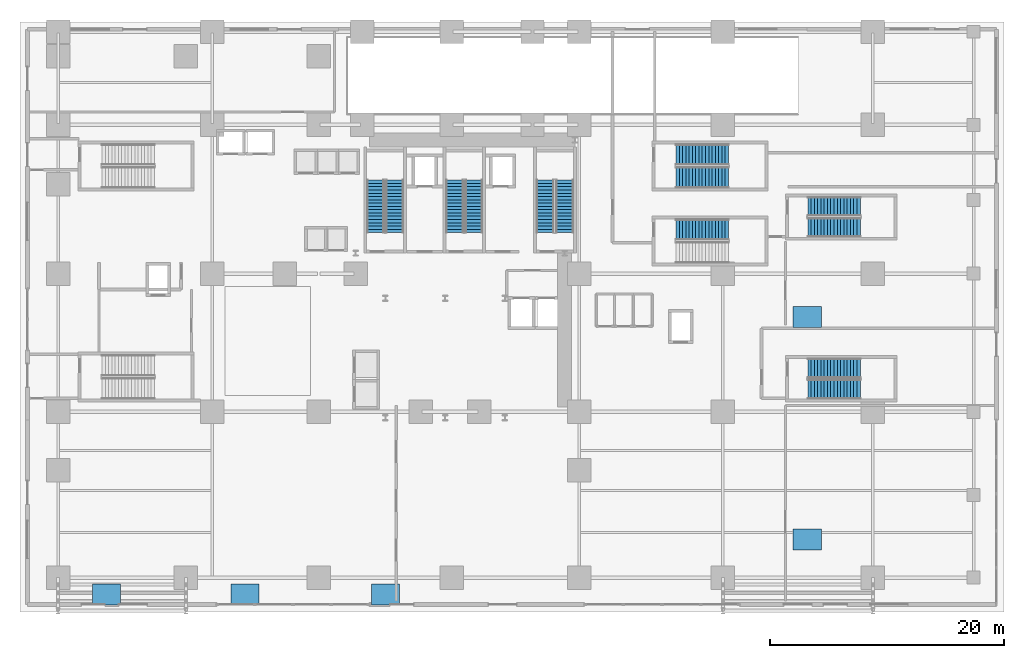
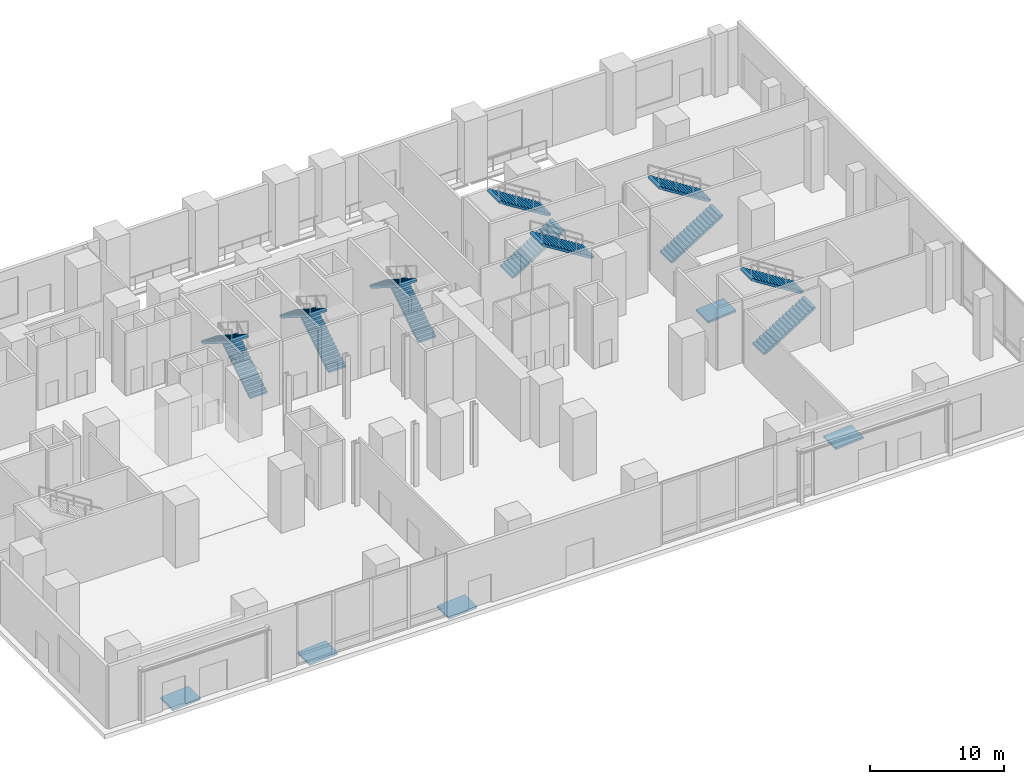
# One storey, part 18 of 25: 13 stair flights, 5 ramp flights, 12 elements without a shape of their own.
"""IFC4 building model written with IfcOpenShell, lengths in metres."""

import ifcopenshell
import ifcopenshell.guid

model = None  # the IFC model being written
_history = None  # IfcOwnerHistory: only IFC2X3 demands one
_inside = {}  # id of a spatial element -> (the spatial element, [elements in it])
_under = {}  # id of a project, library or spatial element -> (it, [spatial elements below it])
_declared = {}  # id of a project -> (the project, [libraries it declares])
_typed = {}  # id of a type object -> (the type object, [elements of that type])
_made_of = {}  # id of a material, layer set ... -> (it, [elements and type objects made of it])


def new_model(schema):
    """Start an empty IFC model of exactly this schema.

    Asked for "IFC4X3", IfcOpenShell would pick the latest addendum, in which some entities
    have other attributes; the version numbers below select the first issue.
    IFC2X3 requires an IfcOwnerHistory on every rooted entity: one is made here for all.
    """
    global model, _history
    if schema == "IFC4X3":
        model = ifcopenshell.file(schema_version=(4, 3, 0, 0))
    else:
        model = ifcopenshell.file(schema=schema)
    _inside.clear()
    _under.clear()
    _declared.clear()
    _typed.clear()
    _made_of.clear()
    _history = None
    if model.schema == "IFC2X3":
        org = make("IfcOrganization", Name="unknown")
        user = make(
            "IfcPersonAndOrganization",
            ThePerson=make("IfcPerson", FamilyName="unknown"),
            TheOrganization=org,
        )
        app = make(
            "IfcApplication",
            ApplicationDeveloper=org,
            Version="unknown",
            ApplicationFullName="unknown",
            ApplicationIdentifier="unknown",
        )
        _history = make(
            "IfcOwnerHistory",
            OwningUser=user,
            OwningApplication=app,
            ChangeAction="ADDED",
            CreationDate=0,
        )
    return model


def make(cls, **values):
    """One entity of the class cls with the attributes given. An attribute that is None is left unset."""
    return model.create_entity(
        cls, **{name: value for name, value in values.items() if value is not None}
    )


def rooted(cls, **values):
    """An entity with a GlobalId (a new one), such as an element, a storey or a relation."""
    return make(cls, GlobalId=ifcopenshell.guid.new(), OwnerHistory=_history, **values)


def si_unit(unit_type, name, prefix=None):
    """IfcSIUnit, for example si_unit("LENGTHUNIT", "METRE", prefix="MILLI")."""
    return make("IfcSIUnit", UnitType=unit_type, Prefix=prefix, Name=name)


def assignment(units):
    """IfcUnitAssignment: the units of a project."""
    return None if units is None else make("IfcUnitAssignment", Units=units)


def point(xyz):
    """IfcCartesianPoint."""
    return None if xyz is None else make("IfcCartesianPoint", Coordinates=xyz)


def direction(xyz):
    """IfcDirection."""
    return None if xyz is None else make("IfcDirection", DirectionRatios=xyz)


def frame(location, z_axis=None, x_axis=None):
    """IfcAxis2Placement3D, a coordinate frame: its origin and axes. An axis left out is left unset."""
    return make(
        "IfcAxis2Placement3D",
        Location=point(location),
        Axis=direction(z_axis),
        RefDirection=direction(x_axis),
    )


def origin():
    """The frame at (0, 0, 0) with its axes left unset."""
    return frame((0.0, 0.0, 0.0))


def place(relative_to, where):
    """IfcLocalPlacement: puts the frame where relative to a parent placement (None: the world)."""
    return make(
        "IfcLocalPlacement", PlacementRelTo=relative_to, RelativePlacement=where
    )


def context(
    kind, dimensions, precision=None, world=None, true_north=None, identifier=None
):
    """IfcGeometricRepresentationContext, for example the 3D "Model" context."""
    return make(
        "IfcGeometricRepresentationContext",
        ContextIdentifier=identifier,
        ContextType=kind,
        CoordinateSpaceDimension=dimensions,
        Precision=precision,
        WorldCoordinateSystem=world,
        TrueNorth=true_north,
    )


def subcontext(parent, identifier, kind, view, scale=None):
    """IfcGeometricRepresentationSubContext, for example "Body" below "Model"."""
    return make(
        "IfcGeometricRepresentationSubContext",
        ContextIdentifier=identifier,
        ContextType=kind,
        ParentContext=parent,
        TargetScale=scale,
        TargetView=view,
    )


def project(units=None, contexts=None):
    """IfcProject with its units and contexts."""
    return rooted(
        "IfcProject",
        Name="project",
        RepresentationContexts=contexts,
        UnitsInContext=assignment(units),
    )


def spatial(cls, under=None, at=None, **own):
    """A site, building, storey or space (cls), placed at a placement, below another one or the project."""
    s = rooted(cls, ObjectPlacement=at, **own)
    if under is not None:
        _under.setdefault(under.id(), (under, []))[1].append(s)
    return s


def polyline(points):
    """IfcPolyline through the points."""
    return make("IfcPolyline", Points=[point(p) for p in points])


def outline(outer, holes=None, kind="AREA"):
    """IfcArbitraryClosedProfileDef: a profile drawn as a closed curve; with holes, ...WithVoids."""
    if holes is None:
        return make("IfcArbitraryClosedProfileDef", ProfileType=kind, OuterCurve=outer)
    return make(
        "IfcArbitraryProfileDefWithVoids",
        ProfileType=kind,
        OuterCurve=outer,
        InnerCurves=holes,
    )


def extrude(swept, where, along, depth):
    """IfcExtrudedAreaSolid: the profile swept, set in the frame where, extruded along a direction by depth."""
    return make(
        "IfcExtrudedAreaSolid",
        SweptArea=swept,
        Position=where,
        ExtrudedDirection=direction(along),
        Depth=depth,
    )


def shape(context_of_items, identifier, shape_type, items):
    """IfcShapeRepresentation: the items that make up one representation, for example the "Body"."""
    return make(
        "IfcShapeRepresentation",
        ContextOfItems=context_of_items,
        RepresentationIdentifier=identifier,
        RepresentationType=shape_type,
        Items=items,
    )


def source(mapping_origin, context_of_items, identifier, shape_type, items):
    """IfcRepresentationMap: a shape defined once, which mapped items show again and again."""
    return make(
        "IfcRepresentationMap",
        MappingOrigin=mapping_origin,
        MappedRepresentation=shape(context_of_items, identifier, shape_type, items),
    )


def transform(
    local_origin,
    x_axis=None,
    y_axis=None,
    z_axis=None,
    scale=None,
    scale2=None,
    scale3=None,
    uniform=True,
):
    """IfcCartesianTransformationOperator3D, or its non-uniform kind. x_axis, y_axis, z_axis: its Axis1, 2, 3."""
    if uniform:
        return make(
            "IfcCartesianTransformationOperator3D",
            Axis1=direction(x_axis),
            Axis2=direction(y_axis),
            LocalOrigin=point(local_origin),
            Scale=scale,
            Axis3=direction(z_axis),
        )
    return make(
        "IfcCartesianTransformationOperator3DnonUniform",
        Axis1=direction(x_axis),
        Axis2=direction(y_axis),
        LocalOrigin=point(local_origin),
        Scale=scale,
        Axis3=direction(z_axis),
        Scale2=scale2,
        Scale3=scale3,
    )


def mapped(mapping_source, mapping_target):
    """IfcMappedItem: shows the shape of a source again, moved by a transform."""
    return make(
        "IfcMappedItem", MappingSource=mapping_source, MappingTarget=mapping_target
    )


def material(Name=None, Category=None):
    """IfcMaterial."""
    return make("IfcMaterial", Name=Name, Category=Category)


def layer(
    of_material, thickness, ventilated=None, Name=None, Category=None, Priority=None
):
    """IfcMaterialLayer: one layer of a wall or slab, of a material (None: an air gap)."""
    return make(
        "IfcMaterialLayer",
        Material=of_material,
        LayerThickness=thickness,
        IsVentilated=ventilated,
        Name=Name,
        Category=Category,
        Priority=Priority,
    )


def layer_set(layers, Name=None):
    """IfcMaterialLayerSet."""
    return make("IfcMaterialLayerSet", MaterialLayers=layers, LayerSetName=Name)


def made_of(thing, what):
    """Note that an element or type object is made of a material, layer set ...; save() writes the relation."""
    if what is not None:
        _made_of.setdefault(what.id(), (what, []))[1].append(thing)
    return thing


def type_object(cls, material=None, **own):
    """A type object (cls), such as IfcWallType, which elements share."""
    return made_of(rooted(cls, **own), material)


def element(
    cls,
    number,
    at=None,
    inside=None,
    cuts=None,
    type_object=None,
    material=None,
    context=None,
    identifier="Body",
    shape_type=None,
    held_by="IfcProductDefinitionShape",
    body=None,
    shapes=None,
    **own,
):
    """One element of the class cls, such as IfcWall. Its Tag is "e" and its number.

    at: its placement. inside: the storey or other place that contains it. cuts: it is an
    opening in that element (IfcRelVoidsElement). A single representation is given by context,
    identifier, shape_type and body (its items); several are given by shapes. held_by: the class
    of the entity that holds the representations. save() writes the other relations.
    """
    e = rooted(cls, Tag="e%d" % number, ObjectPlacement=at, **own)
    if body is not None:
        shapes = [shape(context, identifier, shape_type, body)]
    if shapes is not None:
        e.Representation = make(held_by, Representations=shapes)
    if inside is not None:
        _inside.setdefault(inside.id(), (inside, []))[1].append(e)
    if cuts is not None:
        rooted(
            "IfcRelVoidsElement", RelatingBuildingElement=cuts, RelatedOpeningElement=e
        )
    if type_object is not None:
        _typed.setdefault(type_object.id(), (type_object, []))[1].append(e)
    return made_of(e, material)


def aggregate(whole, parts):
    """IfcRelAggregates: a whole, such as a stair, and the parts it consists of."""
    return rooted("IfcRelAggregates", RelatingObject=whole, RelatedObjects=parts)


def save(model, path):
    """Write the relations noted so far, then the file.

    IfcRelAggregates (storeys below a building ...), IfcRelContainedInSpatialStructure (elements
    in a storey), IfcRelDefinesByType, IfcRelAssociatesMaterial and IfcRelDeclares: one each for
    every whole, place, type object, material and project.
    """
    for whole, parts in _under.values():
        aggregate(whole, parts)
    for where, things in _inside.values():
        rooted(
            "IfcRelContainedInSpatialStructure",
            RelatedElements=things,
            RelatingStructure=where,
        )
    for kind, things in _typed.values():
        rooted("IfcRelDefinesByType", RelatedObjects=things, RelatingType=kind)
    for what, things in _made_of.values():
        rooted("IfcRelAssociatesMaterial", RelatedObjects=things, RelatingMaterial=what)
    for by, libraries in _declared.values():
        rooted("IfcRelDeclares", RelatingContext=by, RelatedDefinitions=libraries)
    model.write(path)


model = new_model("IFC4")

# Units and contexts
model_context = context("Model", 3, precision=1e-05, world=origin(), true_north=direction((0.0, 1.0)))
body_context = subcontext(model_context, "Body", "Model", "MODEL_VIEW")
ifc_project = project(units=[si_unit("LENGTHUNIT", "METRE"), si_unit("AREAUNIT", "SQUARE_METRE"), si_unit("VOLUMEUNIT", "CUBIC_METRE"), si_unit("PLANEANGLEUNIT", "RADIAN"), si_unit("MASSUNIT", "GRAM", prefix="KILO")], contexts=[model_context])

# Site, building, storey
site_placement = place(None, origin())
site = spatial("IfcSite", under=ifc_project, at=site_placement, CompositionType="ELEMENT")
building_placement = place(site_placement, origin())
building = spatial("IfcBuilding", under=site, at=building_placement, Name="Vardaveli Station Tower", CompositionType="ELEMENT")
storey_placement = place(building_placement, origin())
storey = spatial("IfcBuildingStorey", under=building, at=storey_placement, Name="L01", CompositionType="ELEMENT", Elevation=0.0)

# Stair, stair flights
ifc_material_1 = material(Name="Concrete C40/50", Category="concrete")
stair_type_1 = type_object("IfcStairType", Name="STR-CORE-1500", PredefinedType="HALF_TURN_STAIR", material=ifc_material_1)
stair_1_placement = place(storey_placement, origin())
stair_1 = element("IfcStair", 1, at=stair_1_placement, inside=storey, type_object=stair_type_1, Name="L01 ST-1", PredefinedType="HALF_TURN_STAIR")
stair_flight_type_1 = type_object("IfcStairFlightType", Name="SFL-CORE-1500", PredefinedType="STRAIGHT", material=ifc_material_1)
shared_shape_1 = source(origin(), body_context, "Body", "SweptSolid", [
    extrude(outline(polyline([(0.0, 0.0), (0.0, 0.176513671875), (0.280029296875, 0.176513671875), (0.280029296875, 0.35302734375), (0.56005859375, 0.35302734375), (0.56005859375, 0.529296875), (0.840087890625, 0.529296875), (0.840087890625, 0.705810546875), (1.1201171875, 0.705810546875), (1.1201171875, 0.88232421875), (1.39990234375, 0.88232421875), (1.39990234375, 1.058837890625), (1.679931640625, 1.058837890625), (1.679931640625, 1.2353515625), (1.9599609375, 1.2353515625), (1.9599609375, 1.411865234375), (2.239990234375, 1.411865234375), (2.239990234375, 1.588134765625), (2.52001953125, 1.588134765625), (2.52001953125, 1.7646484375), (2.800048828125, 1.7646484375), (2.800048828125, 1.941162109375), (3.080078125, 1.941162109375), (3.080078125, 2.11767578125), (3.360107421875, 2.11767578125), (3.360107421875, 2.294189453125), (3.639892578125, 2.294189453125), (3.639892578125, 2.470703125), (3.919921875, 2.470703125), (3.919921875, 2.64697265625), (4.199951171875, 2.64697265625), (4.199951171875, 2.823486328125), (4.47998046875, 2.823486328125), (4.47998046875, 3.0), (4.47998046875, 2.646240234375), (0.28125, 0.0), (0.0, 0.0)])), frame((0.0, 0.75, 0.0), z_axis=(0.0, -1.0, 0.0), x_axis=(1.0, 0.0, 0.0)), (0.0, 0.0, 1.0), 1.5),
])
stair_flight_1_placement = place(storey_placement, frame((32.0, 32.39990234375, 0.0), z_axis=(0.0, 0.0, 1.0), x_axis=(0.0, 1.0, 0.0)))
stair_flight_1 = element("IfcStairFlight", 2, at=stair_flight_1_placement, type_object=stair_flight_type_1, Name="ST-1 flight 1", NumberOfRisers=17, NumberOfTreads=16, PredefinedType="STRAIGHT", RiserHeight=0.176470588, TreadLength=0.28, context=body_context, shape_type="MappedRepresentation", body=[
    mapped(shared_shape_1, transform((0.0, 0.0, 0.0), scale=1.0)),
])
stair_flight_2_placement = place(storey_placement, frame((30.35009765625, 36.8798828125, 3.0), z_axis=(0.0, 0.0, 1.0), x_axis=(0.0, -1.0, 0.0)))
stair_flight_2 = element("IfcStairFlight", 3, at=stair_flight_2_placement, type_object=stair_flight_type_1, Name="ST-1 flight 2", NumberOfRisers=17, NumberOfTreads=16, PredefinedType="STRAIGHT", RiserHeight=0.176470588, TreadLength=0.28, context=body_context, shape_type="MappedRepresentation", body=[
    mapped(shared_shape_1, transform((0.0, 0.0, 0.0), scale=1.0)),
])
aggregate(stair_1, [stair_flight_1, stair_flight_2])

stair_2_placement = place(storey_placement, origin())
stair_2 = element("IfcStair", 4, at=stair_2_placement, inside=storey, type_object=stair_type_1, Name="L01 ST-2", PredefinedType="HALF_TURN_STAIR")
stair_flight_3_placement = place(storey_placement, frame((38.75, 32.39990234375, 0.0), z_axis=(0.0, 0.0, 1.0), x_axis=(0.0, 1.0, 0.0)))
stair_flight_3 = element("IfcStairFlight", 5, at=stair_flight_3_placement, type_object=stair_flight_type_1, Name="ST-2 flight 1", NumberOfRisers=17, NumberOfTreads=16, PredefinedType="STRAIGHT", RiserHeight=0.176470588, TreadLength=0.28, context=body_context, shape_type="MappedRepresentation", body=[
    mapped(shared_shape_1, transform((0.0, 0.0, 0.0), scale=1.0)),
])
stair_flight_4_placement = place(storey_placement, frame((37.10009765625, 36.8798828125, 3.0), z_axis=(0.0, 0.0, 1.0), x_axis=(0.0, -1.0, 0.0)))
stair_flight_4 = element("IfcStairFlight", 6, at=stair_flight_4_placement, type_object=stair_flight_type_1, Name="ST-2 flight 2", NumberOfRisers=17, NumberOfTreads=16, PredefinedType="STRAIGHT", RiserHeight=0.176470588, TreadLength=0.28, context=body_context, shape_type="MappedRepresentation", body=[
    mapped(shared_shape_1, transform((0.0, 0.0, 0.0), scale=1.0)),
])
aggregate(stair_2, [stair_flight_3, stair_flight_4])

stair_3_placement = place(storey_placement, origin())
stair_3 = element("IfcStair", 7, at=stair_3_placement, inside=storey, type_object=stair_type_1, Name="L01 ST-3", PredefinedType="HALF_TURN_STAIR")
stair_flight_5_placement = place(storey_placement, frame((46.5, 32.39990234375, 0.0), z_axis=(0.0, 0.0, 1.0), x_axis=(0.0, 1.0, 0.0)))
stair_flight_5 = element("IfcStairFlight", 8, at=stair_flight_5_placement, type_object=stair_flight_type_1, Name="ST-3 flight 1", NumberOfRisers=17, NumberOfTreads=16, PredefinedType="STRAIGHT", RiserHeight=0.176470588, TreadLength=0.28, context=body_context, shape_type="MappedRepresentation", body=[
    mapped(shared_shape_1, transform((0.0, 0.0, 0.0), scale=1.0)),
])
stair_flight_6_placement = place(storey_placement, frame((44.85009765625, 36.8798828125, 3.0), z_axis=(0.0, 0.0, 1.0), x_axis=(0.0, -1.0, 0.0)))
stair_flight_6 = element("IfcStairFlight", 9, at=stair_flight_6_placement, type_object=stair_flight_type_1, Name="ST-3 flight 2", NumberOfRisers=17, NumberOfTreads=16, PredefinedType="STRAIGHT", RiserHeight=0.176470588, TreadLength=0.28, context=body_context, shape_type="MappedRepresentation", body=[
    mapped(shared_shape_1, transform((0.0, 0.0, 0.0), scale=1.0)),
])
aggregate(stair_3, [stair_flight_5, stair_flight_6])

# Stair, stair flight
stair_type_2 = type_object("IfcStairType", Name="STR-POD-1800", PredefinedType="HALF_TURN_STAIR", material=ifc_material_1)
stair_4_placement = place(storey_placement, origin())
stair_4 = element("IfcStair", 10, at=stair_4_placement, inside=storey, type_object=stair_type_2, Name="L01 ST-S2", PredefinedType="HALF_TURN_STAIR")
stair_flight_type_2 = type_object("IfcStairFlightType", Name="SFL-POD-1800", PredefinedType="STRAIGHT", material=ifc_material_1)
shared_shape_2 = source(origin(), body_context, "Body", "SweptSolid", [
    extrude(outline(polyline([(0.0, 0.0), (0.0, 0.176513671875), (0.280029296875, 0.176513671875), (0.280029296875, 0.35302734375), (0.56005859375, 0.35302734375), (0.56005859375, 0.529296875), (0.840087890625, 0.529296875), (0.840087890625, 0.705810546875), (1.1201171875, 0.705810546875), (1.1201171875, 0.88232421875), (1.39990234375, 0.88232421875), (1.39990234375, 1.058837890625), (1.679931640625, 1.058837890625), (1.679931640625, 1.2353515625), (1.9599609375, 1.2353515625), (1.9599609375, 1.411865234375), (2.239990234375, 1.411865234375), (2.239990234375, 1.588134765625), (2.52001953125, 1.588134765625), (2.52001953125, 1.7646484375), (2.800048828125, 1.7646484375), (2.800048828125, 1.941162109375), (3.080078125, 1.941162109375), (3.080078125, 2.11767578125), (3.360107421875, 2.11767578125), (3.360107421875, 2.294189453125), (3.639892578125, 2.294189453125), (3.639892578125, 2.470703125), (3.919921875, 2.470703125), (3.919921875, 2.64697265625), (4.199951171875, 2.64697265625), (4.199951171875, 2.823486328125), (4.47998046875, 2.823486328125), (4.47998046875, 3.0), (4.47998046875, 2.646240234375), (0.28125, 0.0), (0.0, 0.0)])), frame((0.0, 0.89990234375, 0.0), z_axis=(0.0, -1.0, 0.0), x_axis=(1.0, 0.0, 0.0)), (0.0, 0.0, 1.0), 1.800048828125),
])
stair_flight_7_placement = place(storey_placement, frame((60.47998046875, 32.64990234375, 3.0), z_axis=(0.0, 0.0, 1.0), x_axis=(-1.0, 0.0, 0.0)))
stair_flight_7 = element("IfcStairFlight", 11, at=stair_flight_7_placement, type_object=stair_flight_type_2, Name="ST-S2 flight 2", NumberOfRisers=17, NumberOfTreads=16, PredefinedType="STRAIGHT", RiserHeight=0.176470588, TreadLength=0.28, context=body_context, shape_type="MappedRepresentation", body=[
    mapped(shared_shape_2, transform((0.0, 0.0, 0.0), scale=1.0)),
])
aggregate(stair_4, [stair_flight_7])

# Stair, stair flights
stair_5_placement = place(storey_placement, origin())
stair_5 = element("IfcStair", 12, at=stair_5_placement, inside=storey, type_object=stair_type_2, Name="L01 ST-P2", PredefinedType="HALF_TURN_STAIR")
stair_flight_8_placement = place(storey_placement, frame((56.0, 37.10009765625, 0.0), z_axis=(0.0, 0.0, 1.0), x_axis=(1.0, 0.0, 0.0)))
stair_flight_8 = element("IfcStairFlight", 13, at=stair_flight_8_placement, type_object=stair_flight_type_2, Name="ST-P2 flight 1", NumberOfRisers=17, NumberOfTreads=16, PredefinedType="STRAIGHT", RiserHeight=0.176470588, TreadLength=0.28, context=body_context, shape_type="MappedRepresentation", body=[
    mapped(shared_shape_2, transform((0.0, 0.0, 0.0), scale=1.0)),
])
stair_flight_9_placement = place(storey_placement, frame((60.47998046875, 39.050048828125, 3.0), z_axis=(0.0, 0.0, 1.0), x_axis=(-1.0, 0.0, 0.0)))
stair_flight_9 = element("IfcStairFlight", 14, at=stair_flight_9_placement, type_object=stair_flight_type_2, Name="ST-P2 flight 2", NumberOfRisers=17, NumberOfTreads=16, PredefinedType="STRAIGHT", RiserHeight=0.176470588, TreadLength=0.28, context=body_context, shape_type="MappedRepresentation", body=[
    mapped(shared_shape_2, transform((0.0, 0.0, 0.0), scale=1.0)),
])
aggregate(stair_5, [stair_flight_8, stair_flight_9])

ifc_material_2 = material(Name="Structural steel S355J2", Category="steel")
stair_type_3 = type_object("IfcStairType", Name="STR-FEAT-1650", PredefinedType="STRAIGHT_RUN_STAIR", material=ifc_material_2)
stair_6_placement = place(storey_placement, origin())
stair_6 = element("IfcStair", 15, at=stair_6_placement, inside=storey, type_object=stair_type_3, Name="L01 ST-C1", PredefinedType="HALF_TURN_STAIR")
stair_flight_type_3 = type_object("IfcStairFlightType", Name="SFL-FEAT-1650", PredefinedType="STRAIGHT", material=ifc_material_2)
shared_shape_3 = source(origin(), body_context, "Body", "SweptSolid", [
    extrude(outline(polyline([(0.0, 0.0), (0.0, 0.176513671875), (0.280029296875, 0.176513671875), (0.280029296875, 0.35302734375), (0.56005859375, 0.35302734375), (0.56005859375, 0.529296875), (0.840087890625, 0.529296875), (0.840087890625, 0.705810546875), (1.1201171875, 0.705810546875), (1.1201171875, 0.88232421875), (1.39990234375, 0.88232421875), (1.39990234375, 1.058837890625), (1.679931640625, 1.058837890625), (1.679931640625, 1.2353515625), (1.9599609375, 1.2353515625), (1.9599609375, 1.411865234375), (2.239990234375, 1.411865234375), (2.239990234375, 1.588134765625), (2.52001953125, 1.588134765625), (2.52001953125, 1.7646484375), (2.800048828125, 1.7646484375), (2.800048828125, 1.941162109375), (3.080078125, 1.941162109375), (3.080078125, 2.11767578125), (3.360107421875, 2.11767578125), (3.360107421875, 2.294189453125), (3.639892578125, 2.294189453125), (3.639892578125, 2.470703125), (3.919921875, 2.470703125), (3.919921875, 2.64697265625), (4.199951171875, 2.64697265625), (4.199951171875, 2.823486328125), (4.47998046875, 2.823486328125), (4.47998046875, 3.0), (4.47998046875, 2.646240234375), (0.28125, 0.0), (0.0, 0.0)])), frame((0.0, 0.824951171875, 0.0), z_axis=(0.0, -1.0, 0.0), x_axis=(1.0, 0.0, 0.0)), (0.0, 0.0, 1.0), 1.64990234375),
])
stair_flight_10_placement = place(storey_placement, frame((67.25, 19.02490234375, 0.0), z_axis=(0.0, 0.0, 1.0), x_axis=(1.0, 0.0, 0.0)))
stair_flight_10 = element("IfcStairFlight", 16, at=stair_flight_10_placement, type_object=stair_flight_type_3, Name="ST-C1 flight 1", NumberOfRisers=17, NumberOfTreads=16, PredefinedType="STRAIGHT", RiserHeight=0.176470588, TreadLength=0.28, context=body_context, shape_type="MappedRepresentation", body=[
    mapped(shared_shape_3, transform((0.0, 0.0, 0.0), scale=1.0)),
])
stair_flight_11_placement = place(storey_placement, frame((71.72998046875, 20.824951171875, 3.0), z_axis=(0.0, 0.0, 1.0), x_axis=(-1.0, 0.0, 0.0)))
stair_flight_11 = element("IfcStairFlight", 17, at=stair_flight_11_placement, type_object=stair_flight_type_3, Name="ST-C1 flight 2", NumberOfRisers=17, NumberOfTreads=16, PredefinedType="STRAIGHT", RiserHeight=0.176470588, TreadLength=0.28, context=body_context, shape_type="MappedRepresentation", body=[
    mapped(shared_shape_3, transform((0.0, 0.0, 0.0), scale=1.0)),
])
aggregate(stair_6, [stair_flight_10, stair_flight_11])

stair_7_placement = place(storey_placement, origin())
stair_7 = element("IfcStair", 18, at=stair_7_placement, inside=storey, type_object=stair_type_3, Name="L01 ST-C2", PredefinedType="HALF_TURN_STAIR")
stair_flight_12_placement = place(storey_placement, frame((67.25, 32.824951171875, 0.0), z_axis=(0.0, 0.0, 1.0), x_axis=(1.0, 0.0, 0.0)))
stair_flight_12 = element("IfcStairFlight", 19, at=stair_flight_12_placement, type_object=stair_flight_type_3, Name="ST-C2 flight 1", NumberOfRisers=17, NumberOfTreads=16, PredefinedType="STRAIGHT", RiserHeight=0.176470588, TreadLength=0.28, context=body_context, shape_type="MappedRepresentation", body=[
    mapped(shared_shape_3, transform((0.0, 0.0, 0.0), scale=1.0)),
])
stair_flight_13_placement = place(storey_placement, frame((71.72998046875, 34.625, 3.0), z_axis=(0.0, 0.0, 1.0), x_axis=(-1.0, 0.0, 0.0)))
stair_flight_13 = element("IfcStairFlight", 20, at=stair_flight_13_placement, type_object=stair_flight_type_3, Name="ST-C2 flight 2", NumberOfRisers=17, NumberOfTreads=16, PredefinedType="STRAIGHT", RiserHeight=0.176470588, TreadLength=0.28, context=body_context, shape_type="MappedRepresentation", body=[
    mapped(shared_shape_3, transform((0.0, 0.0, 0.0), scale=1.0)),
])
aggregate(stair_7, [stair_flight_12, stair_flight_13])

# Ramp, ramp flight
ramp_type = type_object("IfcRampType", Name="RMP-PED-1800", PredefinedType="STRAIGHT_RUN_RAMP", material=ifc_material_1)
ramp_1_placement = place(storey_placement, origin())
ramp_1 = element("IfcRamp", 21, at=ramp_1_placement, inside=storey, type_object=ramp_type, Name="RMP-PED-01", PredefinedType="STRAIGHT_RUN_RAMP")
ifc_layer = layer(ifc_material_1, 0.199951171875, Name="Concrete C40/50")
ifc_layer_set = layer_set([ifc_layer], Name="Concrete C40/50")
ramp_flight_type = type_object("IfcRampFlightType", Name="RFL-PED-220", PredefinedType="STRAIGHT", material=ifc_layer_set)
ramp_flight_1_placement = place(storey_placement, frame((6.199951171875, 1.5, -0.179931640625), z_axis=(0.0, 0.0, 1.0), x_axis=(1.0, 0.0, 0.0)))
ramp_flight_1 = element("IfcRampFlight", 22, at=ramp_flight_1_placement, type_object=ramp_flight_type, Name="RMP-PED-01-FL1", PredefinedType="STRAIGHT", context=body_context, shape_type="SweptSolid", body=[
    extrude(outline(polyline([(0.0, -0.199951171875), (2.39990234375, -0.02001953125), (2.39990234375, 0.179931640625), (0.0, 0.0), (0.0, -0.199951171875)])), frame((0.0, 0.89990234375, 0.0), z_axis=(0.0, -1.0, 0.0), x_axis=(1.0, 0.0, 0.0)), (0.0, 0.0, 1.0), 1.800048828125),
])
aggregate(ramp_1, [ramp_flight_1])

ramp_2_placement = place(storey_placement, origin())
ramp_2 = element("IfcRamp", 23, at=ramp_2_placement, inside=storey, type_object=ramp_type, Name="RMP-PED-02", PredefinedType="STRAIGHT_RUN_RAMP")
ramp_flight_2_placement = place(storey_placement, frame((18.0, 1.5, -0.179931640625), z_axis=(0.0, 0.0, 1.0), x_axis=(1.0, 0.0, 0.0)))
ramp_flight_2 = element("IfcRampFlight", 24, at=ramp_flight_2_placement, type_object=ramp_flight_type, Name="RMP-PED-02-FL1", PredefinedType="STRAIGHT", context=body_context, shape_type="SweptSolid", body=[
    extrude(outline(polyline([(0.0, -0.199951171875), (2.39990234375, -0.02001953125), (2.39990234375, 0.179931640625), (0.0, 0.0), (0.0, -0.199951171875)])), frame((0.0, 0.89990234375, 0.0), z_axis=(0.0, -1.0, 0.0), x_axis=(1.0, 0.0, 0.0)), (0.0, 0.0, 1.0), 1.800048828125),
])
aggregate(ramp_2, [ramp_flight_2])

ramp_3_placement = place(storey_placement, origin())
ramp_3 = element("IfcRamp", 25, at=ramp_3_placement, inside=storey, type_object=ramp_type, Name="RMP-PED-03", PredefinedType="STRAIGHT_RUN_RAMP")
ramp_flight_3_placement = place(storey_placement, frame((30.0, 1.5, -0.179931640625), z_axis=(0.0, 0.0, 1.0), x_axis=(1.0, 0.0, 0.0)))
ramp_flight_3 = element("IfcRampFlight", 26, at=ramp_flight_3_placement, type_object=ramp_flight_type, Name="RMP-PED-03-FL1", PredefinedType="STRAIGHT", context=body_context, shape_type="SweptSolid", body=[
    extrude(outline(polyline([(0.0, -0.199951171875), (2.39990234375, -0.02001953125), (2.39990234375, 0.179931640625), (0.0, 0.0), (0.0, -0.199951171875)])), frame((0.0, 0.89990234375, 0.0), z_axis=(0.0, -1.0, 0.0), x_axis=(1.0, 0.0, 0.0)), (0.0, 0.0, 1.0), 1.800048828125),
])
aggregate(ramp_3, [ramp_flight_3])

ramp_4_placement = place(storey_placement, origin())
ramp_4 = element("IfcRamp", 27, at=ramp_4_placement, inside=storey, type_object=ramp_type, Name="RMP-PED-04", PredefinedType="STRAIGHT_RUN_RAMP")
ramp_flight_4_placement = place(storey_placement, frame((66.0, 6.199951171875, -0.179931640625), z_axis=(0.0, 0.0, 1.0), x_axis=(1.0, 0.0, 0.0)))
ramp_flight_4 = element("IfcRampFlight", 28, at=ramp_flight_4_placement, type_object=ramp_flight_type, Name="RMP-PED-04-FL1", PredefinedType="STRAIGHT", context=body_context, shape_type="SweptSolid", body=[
    extrude(outline(polyline([(0.0, -0.199951171875), (2.39990234375, -0.02001953125), (2.39990234375, 0.179931640625), (0.0, 0.0), (0.0, -0.199951171875)])), frame((0.0, 0.89990234375, 0.0), z_axis=(0.0, -1.0, 0.0), x_axis=(1.0, 0.0, 0.0)), (0.0, 0.0, 1.0), 1.800048828125),
])
aggregate(ramp_4, [ramp_flight_4])

ramp_5_placement = place(storey_placement, origin())
ramp_5 = element("IfcRamp", 29, at=ramp_5_placement, inside=storey, type_object=ramp_type, Name="RMP-PED-05", PredefinedType="STRAIGHT_RUN_RAMP")
ramp_flight_5_placement = place(storey_placement, frame((66.0, 25.199951171875, -0.179931640625), z_axis=(0.0, 0.0, 1.0), x_axis=(1.0, 0.0, 0.0)))
ramp_flight_5 = element("IfcRampFlight", 30, at=ramp_flight_5_placement, type_object=ramp_flight_type, Name="RMP-PED-05-FL1", PredefinedType="STRAIGHT", context=body_context, shape_type="SweptSolid", body=[
    extrude(outline(polyline([(0.0, -0.199951171875), (2.39990234375, -0.02001953125), (2.39990234375, 0.179931640625), (0.0, 0.0), (0.0, -0.199951171875)])), frame((0.0, 0.89990234375, 0.0), z_axis=(0.0, -1.0, 0.0), x_axis=(1.0, 0.0, 0.0)), (0.0, 0.0, 1.0), 1.800048828125),
])
aggregate(ramp_5, [ramp_flight_5])

save(model, "model.ifc")
